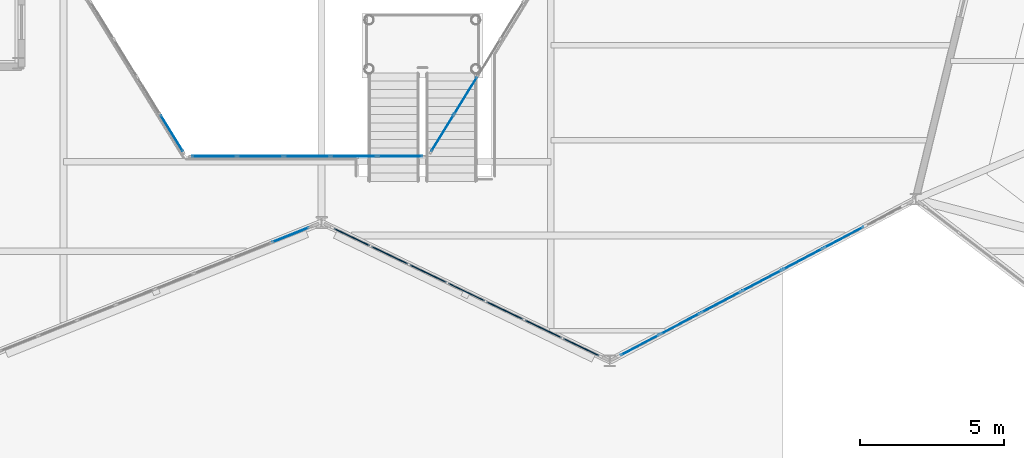
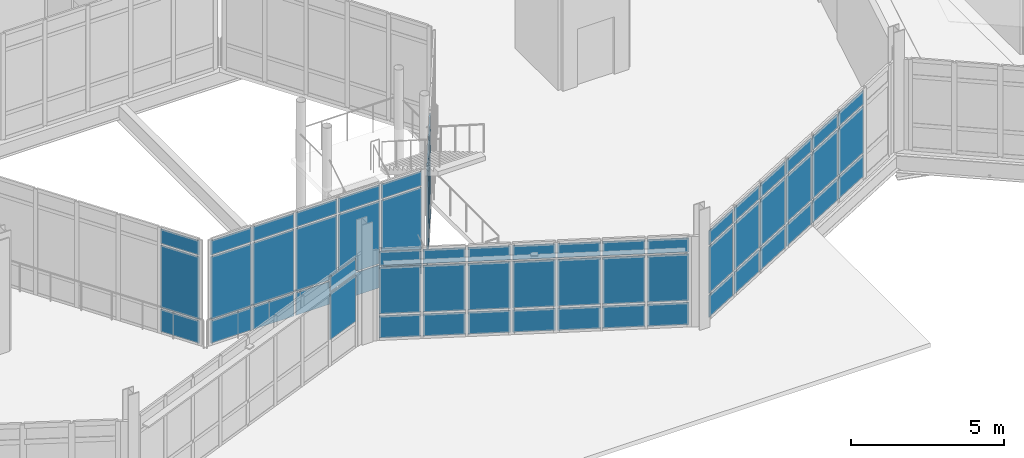
# One storey, part 86 of 134: 65 plates, 6 elements without a shape of their own.
"""IFC4 building model written with IfcOpenShell, lengths in metres."""

from ifc_helpers import new_model, si_unit, direction, frame, origin, origin_2d, place, context, subcontext, project, spatial, rectangle, extrude, material, layer, layer_set, type_object, element, aggregate, save


model = new_model("IFC4")

# Units and contexts
model_context = context("Model", 3, precision=1e-05, world=origin(), true_north=direction((0.0, 1.0)))
body_context = subcontext(model_context, "Body", "Model", "MODEL_VIEW")
ifc_project = project(units=[si_unit("LENGTHUNIT", "METRE"), si_unit("AREAUNIT", "SQUARE_METRE"), si_unit("VOLUMEUNIT", "CUBIC_METRE"), si_unit("PLANEANGLEUNIT", "RADIAN"), si_unit("MASSUNIT", "GRAM", prefix="KILO")], contexts=[model_context])

# Site, building, storey
site_placement = place(None, origin())
site = spatial("IfcSite", under=ifc_project, at=site_placement, CompositionType="ELEMENT")
building_placement = place(site_placement, origin())
building = spatial("IfcBuilding", under=site, at=building_placement, Name="Tameran Prism Museum", CompositionType="ELEMENT")
storey_placement = place(building_placement, frame((0.0, 0.0, 5.39990234375)))
storey = spatial("IfcBuildingStorey", under=building, at=storey_placement, Name="L01", CompositionType="ELEMENT", Elevation=5.39990234375)

# Curtain wall, plates
ifc_material_1 = material(Name="Anodised Aluminium 6063-T6 and Cyclone Solar Glass", Category="aluminium")
curtain_wall_type_1 = type_object("IfcCurtainWallType", Name="CW-ATR-769x424", PredefinedType="USERDEFINED", material=ifc_material_1)
curtain_wall_1_placement = place(storey_placement, origin())
curtain_wall_1 = element("IfcCurtainWall", 1, at=curtain_wall_1_placement, inside=storey, type_object=curtain_wall_type_1, Name="Unitised Curtain Wall CW-001", ObjectType="UNITISED CURTAIN WALL", PredefinedType="USERDEFINED")
ifc_material_2 = material(Name="Low-E Laminated Solar Glass", Category="glass")
ifc_layer_1 = layer(ifc_material_2, 0.028076171875)
ifc_layer_set_1 = layer_set([ifc_layer_1])
plate_type_1 = type_object("IfcPlateType", Name="CW-PNL-G28", PredefinedType="CURTAIN_PANEL", material=ifc_layer_set_1)
plate_1_placement = place(storey_placement, frame((72.308349609375, 30.496337890625, 0.06494140625), z_axis=(0.0, 0.0, 1.0), x_axis=(0.525503952357, -0.850791158897, 0.0)))
plate_1 = element("IfcPlate", 2, at=plate_1_placement, type_object=plate_type_1, Name="CW-001 panel 5.1", PredefinedType="CURTAIN_PANEL", context=body_context, shape_type="SweptSolid", body=[
    extrude(rectangle(XDim=1.44091796875, YDim=0.028076171875, at=origin_2d()), origin(), (0.0, 0.0, 1.0), 0.902587890625),
])
plate_2_placement = place(storey_placement, frame((72.308349609375, 30.496337890625, 1.032470703125), z_axis=(0.0, 0.0, 1.0), x_axis=(0.525503952357, -0.850791158897, 0.0)))
plate_2 = element("IfcPlate", 3, at=plate_2_placement, type_object=plate_type_1, Name="CW-001 panel 5.2", PredefinedType="CURTAIN_PANEL", context=body_context, shape_type="SweptSolid", body=[
    extrude(rectangle(XDim=1.44091796875, YDim=0.028076171875, at=origin_2d()), origin(), (0.0, 0.0, 1.0), 2.4951171875),
])
plate_3_placement = place(storey_placement, frame((72.308349609375, 30.496337890625, 3.592529296875), z_axis=(0.0, 0.0, 1.0), x_axis=(0.525503952357, -0.850791158897, 0.0)))
plate_3 = element("IfcPlate", 4, at=plate_3_placement, type_object=plate_type_1, Name="CW-001 panel 5.3", PredefinedType="CURTAIN_PANEL", context=body_context, shape_type="SweptSolid", body=[
    extrude(rectangle(XDim=1.44091796875, YDim=0.028076171875, at=origin_2d()), origin(), (0.0, 0.0, 1.0), 0.58251953125),
])
aggregate(curtain_wall_1, [plate_1, plate_2, plate_3])

ifc_material_3 = material(Name="Anodised Aluminium 6063-T6 and Cyclone Solar Glass", Category="aluminium")
curtain_wall_type_2 = type_object("IfcCurtainWallType", Name="CW-ATR-810x424", PredefinedType="USERDEFINED", material=ifc_material_3)
curtain_wall_2_placement = place(storey_placement, origin())
curtain_wall_2 = element("IfcCurtainWall", 5, at=curtain_wall_2_placement, inside=storey, type_object=curtain_wall_type_2, Name="Unitised Curtain Wall CW-002", ObjectType="UNITISED CURTAIN WALL", PredefinedType="USERDEFINED")
plate_4_placement = place(storey_placement, frame((73.7763671875, 29.699951171875, 0.06494140625), z_axis=(0.0, 0.0, 1.0), x_axis=(1.0, 0.0, 0.0)))
plate_4 = element("IfcPlate", 6, at=plate_4_placement, type_object=plate_type_1, Name="CW-002 panel 1.1", PredefinedType="CURTAIN_PANEL", context=body_context, shape_type="SweptSolid", body=[
    extrude(rectangle(XDim=1.5224609375, YDim=0.028076171875, at=origin_2d()), origin(), (0.0, 0.0, 1.0), 0.902587890625),
])
plate_5_placement = place(storey_placement, frame((73.7763671875, 29.699951171875, 1.032470703125), z_axis=(0.0, 0.0, 1.0), x_axis=(1.0, 0.0, 0.0)))
plate_5 = element("IfcPlate", 7, at=plate_5_placement, type_object=plate_type_1, Name="CW-002 panel 1.2", PredefinedType="CURTAIN_PANEL", context=body_context, shape_type="SweptSolid", body=[
    extrude(rectangle(XDim=1.5224609375, YDim=0.028076171875, at=origin_2d()), origin(), (0.0, 0.0, 1.0), 2.4951171875),
])
plate_6_placement = place(storey_placement, frame((73.7763671875, 29.699951171875, 3.592529296875), z_axis=(0.0, 0.0, 1.0), x_axis=(1.0, 0.0, 0.0)))
plate_6 = element("IfcPlate", 8, at=plate_6_placement, type_object=plate_type_1, Name="CW-002 panel 1.3", PredefinedType="CURTAIN_PANEL", context=body_context, shape_type="SweptSolid", body=[
    extrude(rectangle(XDim=1.5224609375, YDim=0.028076171875, at=origin_2d()), origin(), (0.0, 0.0, 1.0), 0.58251953125),
])
plate_7_placement = place(storey_placement, frame((75.3798828125, 29.699951171875, 0.06494140625), z_axis=(0.0, 0.0, 1.0), x_axis=(1.0, 0.0, 0.0)))
plate_7 = element("IfcPlate", 9, at=plate_7_placement, type_object=plate_type_1, Name="CW-002 panel 2.1", PredefinedType="CURTAIN_PANEL", context=body_context, shape_type="SweptSolid", body=[
    extrude(rectangle(XDim=1.554931640625, YDim=0.028076171875, at=origin_2d()), origin(), (0.0, 0.0, 1.0), 0.902587890625),
])
plate_8_placement = place(storey_placement, frame((75.3798828125, 29.699951171875, 1.032470703125), z_axis=(0.0, 0.0, 1.0), x_axis=(1.0, 0.0, 0.0)))
plate_8 = element("IfcPlate", 10, at=plate_8_placement, type_object=plate_type_1, Name="CW-002 panel 2.2", PredefinedType="CURTAIN_PANEL", context=body_context, shape_type="SweptSolid", body=[
    extrude(rectangle(XDim=1.554931640625, YDim=0.028076171875, at=origin_2d()), origin(), (0.0, 0.0, 1.0), 2.4951171875),
])
plate_9_placement = place(storey_placement, frame((75.3798828125, 29.699951171875, 3.592529296875), z_axis=(0.0, 0.0, 1.0), x_axis=(1.0, 0.0, 0.0)))
plate_9 = element("IfcPlate", 11, at=plate_9_placement, type_object=plate_type_1, Name="CW-002 panel 2.3", PredefinedType="CURTAIN_PANEL", context=body_context, shape_type="SweptSolid", body=[
    extrude(rectangle(XDim=1.554931640625, YDim=0.028076171875, at=origin_2d()), origin(), (0.0, 0.0, 1.0), 0.58251953125),
])
plate_10_placement = place(storey_placement, frame((77.0, 29.699951171875, 0.06494140625), z_axis=(0.0, 0.0, 1.0), x_axis=(1.0, 0.0, 0.0)))
plate_10 = element("IfcPlate", 12, at=plate_10_placement, type_object=plate_type_1, Name="CW-002 panel 3.1", PredefinedType="CURTAIN_PANEL", context=body_context, shape_type="SweptSolid", body=[
    extrude(rectangle(XDim=1.554931640625, YDim=0.028076171875, at=origin_2d()), origin(), (0.0, 0.0, 1.0), 0.902587890625),
])
plate_11_placement = place(storey_placement, frame((77.0, 29.699951171875, 1.032470703125), z_axis=(0.0, 0.0, 1.0), x_axis=(1.0, 0.0, 0.0)))
plate_11 = element("IfcPlate", 13, at=plate_11_placement, type_object=plate_type_1, Name="CW-002 panel 3.2", PredefinedType="CURTAIN_PANEL", context=body_context, shape_type="SweptSolid", body=[
    extrude(rectangle(XDim=1.554931640625, YDim=0.028076171875, at=origin_2d()), origin(), (0.0, 0.0, 1.0), 2.4951171875),
])
plate_12_placement = place(storey_placement, frame((77.0, 29.699951171875, 3.592529296875), z_axis=(0.0, 0.0, 1.0), x_axis=(1.0, 0.0, 0.0)))
plate_12 = element("IfcPlate", 14, at=plate_12_placement, type_object=plate_type_1, Name="CW-002 panel 3.3", PredefinedType="CURTAIN_PANEL", context=body_context, shape_type="SweptSolid", body=[
    extrude(rectangle(XDim=1.554931640625, YDim=0.028076171875, at=origin_2d()), origin(), (0.0, 0.0, 1.0), 0.58251953125),
])
plate_13_placement = place(storey_placement, frame((78.6201171875, 29.699951171875, 0.06494140625), z_axis=(0.0, 0.0, 1.0), x_axis=(1.0, 0.0, 0.0)))
plate_13 = element("IfcPlate", 15, at=plate_13_placement, type_object=plate_type_1, Name="CW-002 panel 4.1", PredefinedType="CURTAIN_PANEL", context=body_context, shape_type="SweptSolid", body=[
    extrude(rectangle(XDim=1.554931640625, YDim=0.028076171875, at=origin_2d()), origin(), (0.0, 0.0, 1.0), 0.902587890625),
])
plate_14_placement = place(storey_placement, frame((78.6201171875, 29.699951171875, 1.032470703125), z_axis=(0.0, 0.0, 1.0), x_axis=(1.0, 0.0, 0.0)))
plate_14 = element("IfcPlate", 16, at=plate_14_placement, type_object=plate_type_1, Name="CW-002 panel 4.2", PredefinedType="CURTAIN_PANEL", context=body_context, shape_type="SweptSolid", body=[
    extrude(rectangle(XDim=1.554931640625, YDim=0.028076171875, at=origin_2d()), origin(), (0.0, 0.0, 1.0), 2.4951171875),
])
plate_15_placement = place(storey_placement, frame((78.6201171875, 29.699951171875, 3.592529296875), z_axis=(0.0, 0.0, 1.0), x_axis=(1.0, 0.0, 0.0)))
plate_15 = element("IfcPlate", 17, at=plate_15_placement, type_object=plate_type_1, Name="CW-002 panel 4.3", PredefinedType="CURTAIN_PANEL", context=body_context, shape_type="SweptSolid", body=[
    extrude(rectangle(XDim=1.554931640625, YDim=0.028076171875, at=origin_2d()), origin(), (0.0, 0.0, 1.0), 0.58251953125),
])
plate_16_placement = place(storey_placement, frame((80.2236328125, 29.699951171875, 0.06494140625), z_axis=(0.0, 0.0, 1.0), x_axis=(1.0, 0.0, 0.0)))
plate_16 = element("IfcPlate", 18, at=plate_16_placement, type_object=plate_type_1, Name="CW-002 panel 5.1", PredefinedType="CURTAIN_PANEL", context=body_context, shape_type="SweptSolid", body=[
    extrude(rectangle(XDim=1.5224609375, YDim=0.028076171875, at=origin_2d()), origin(), (0.0, 0.0, 1.0), 0.902587890625),
])
plate_17_placement = place(storey_placement, frame((80.2236328125, 29.699951171875, 1.032470703125), z_axis=(0.0, 0.0, 1.0), x_axis=(1.0, 0.0, 0.0)))
plate_17 = element("IfcPlate", 19, at=plate_17_placement, type_object=plate_type_1, Name="CW-002 panel 5.2", PredefinedType="CURTAIN_PANEL", context=body_context, shape_type="SweptSolid", body=[
    extrude(rectangle(XDim=1.5224609375, YDim=0.028076171875, at=origin_2d()), origin(), (0.0, 0.0, 1.0), 2.4951171875),
])
plate_18_placement = place(storey_placement, frame((80.2236328125, 29.699951171875, 3.592529296875), z_axis=(0.0, 0.0, 1.0), x_axis=(1.0, 0.0, 0.0)))
plate_18 = element("IfcPlate", 20, at=plate_18_placement, type_object=plate_type_1, Name="CW-002 panel 5.3", PredefinedType="CURTAIN_PANEL", context=body_context, shape_type="SweptSolid", body=[
    extrude(rectangle(XDim=1.5224609375, YDim=0.028076171875, at=origin_2d()), origin(), (0.0, 0.0, 1.0), 0.58251953125),
])
aggregate(curtain_wall_2, [plate_4, plate_5, plate_6, plate_7, plate_8, plate_9, plate_10, plate_11, plate_12, plate_13, plate_14, plate_15, plate_16, plate_17, plate_18])

curtain_wall_3_placement = place(storey_placement, origin())
curtain_wall_3 = element("IfcCurtainWall", 21, at=curtain_wall_3_placement, inside=storey, type_object=curtain_wall_type_1, Name="Unitised Curtain Wall CW-003", ObjectType="UNITISED CURTAIN WALL", PredefinedType="USERDEFINED")
plate_19_placement = place(storey_placement, frame((81.691650390625, 30.496337890625, 0.06494140625), z_axis=(0.0, 0.0, 1.0), x_axis=(0.525503952357, 0.850791158897, 0.0)))
plate_19 = element("IfcPlate", 22, at=plate_19_placement, type_object=plate_type_1, Name="CW-003 panel 1.1", PredefinedType="CURTAIN_PANEL", context=body_context, shape_type="SweptSolid", body=[
    extrude(rectangle(XDim=1.44091796875, YDim=0.028076171875, at=origin_2d()), origin(), (0.0, 0.0, 1.0), 0.902587890625),
])
plate_20_placement = place(storey_placement, frame((81.691650390625, 30.496337890625, 1.032470703125), z_axis=(0.0, 0.0, 1.0), x_axis=(0.525503952357, 0.850791158897, 0.0)))
plate_20 = element("IfcPlate", 23, at=plate_20_placement, type_object=plate_type_1, Name="CW-003 panel 1.2", PredefinedType="CURTAIN_PANEL", context=body_context, shape_type="SweptSolid", body=[
    extrude(rectangle(XDim=1.44091796875, YDim=0.028076171875, at=origin_2d()), origin(), (0.0, 0.0, 1.0), 2.4951171875),
])
plate_21_placement = place(storey_placement, frame((81.691650390625, 30.496337890625, 3.592529296875), z_axis=(0.0, 0.0, 1.0), x_axis=(0.525503952357, 0.850791158897, 0.0)))
plate_21 = element("IfcPlate", 24, at=plate_21_placement, type_object=plate_type_1, Name="CW-003 panel 1.3", PredefinedType="CURTAIN_PANEL", context=body_context, shape_type="SweptSolid", body=[
    extrude(rectangle(XDim=1.44091796875, YDim=0.028076171875, at=origin_2d()), origin(), (0.0, 0.0, 1.0), 0.58251953125),
])
plate_22_placement = place(storey_placement, frame((82.49169921875, 31.791259765625, 0.06494140625), z_axis=(0.0, 0.0, 1.0), x_axis=(0.525503952357, 0.850791158897, 0.0)))
plate_22 = element("IfcPlate", 25, at=plate_22_placement, type_object=plate_type_1, Name="CW-003 panel 2.1", PredefinedType="CURTAIN_PANEL", context=body_context, shape_type="SweptSolid", body=[
    extrude(rectangle(XDim=1.473388671875, YDim=0.028076171875, at=origin_2d()), origin(), (0.0, 0.0, 1.0), 0.902587890625),
])
plate_23_placement = place(storey_placement, frame((82.49169921875, 31.791259765625, 1.032470703125), z_axis=(0.0, 0.0, 1.0), x_axis=(0.525503952357, 0.850791158897, 0.0)))
plate_23 = element("IfcPlate", 26, at=plate_23_placement, type_object=plate_type_1, Name="CW-003 panel 2.2", PredefinedType="CURTAIN_PANEL", context=body_context, shape_type="SweptSolid", body=[
    extrude(rectangle(XDim=1.473388671875, YDim=0.028076171875, at=origin_2d()), origin(), (0.0, 0.0, 1.0), 2.4951171875),
])
plate_24_placement = place(storey_placement, frame((82.49169921875, 31.791259765625, 3.592529296875), z_axis=(0.0, 0.0, 1.0), x_axis=(0.525503952357, 0.850791158897, 0.0)))
plate_24 = element("IfcPlate", 27, at=plate_24_placement, type_object=plate_type_1, Name="CW-003 panel 2.3", PredefinedType="CURTAIN_PANEL", context=body_context, shape_type="SweptSolid", body=[
    extrude(rectangle(XDim=1.473388671875, YDim=0.028076171875, at=origin_2d()), origin(), (0.0, 0.0, 1.0), 0.58251953125),
])
aggregate(curtain_wall_3, [plate_19, plate_20, plate_21, plate_22, plate_23, plate_24])

ifc_material_4 = material(Name="Anodised Aluminium 6063-T6 and Cyclone Solar Glass", Category="aluminium")
curtain_wall_type_3 = type_object("IfcCurtainWallType", Name="CW-FAC-1163x362", PredefinedType="USERDEFINED", material=ifc_material_4)
curtain_wall_4_placement = place(storey_placement, origin())
curtain_wall_4 = element("IfcCurtainWall", 28, at=curtain_wall_4_placement, inside=storey, type_object=curtain_wall_type_3, Name="Unitised Curtain Wall CW-063", ObjectType="UNITISED CURTAIN WALL", PredefinedType="USERDEFINED")
plate_25_placement = place(storey_placement, frame((76.42919921875, 26.97216796875, 1.03271484375), z_axis=(0.0, 0.0, 1.0), x_axis=(-0.928464826032, -0.371420337114, 0.0)))
plate_25 = element("IfcPlate", 29, at=plate_25_placement, type_object=plate_type_1, Name="CW-063 panel 1.2", PredefinedType="CURTAIN_PANEL", context=body_context, shape_type="SweptSolid", body=[
    extrude(rectangle(XDim=1.355712890625, YDim=0.028076171875, at=origin_2d()), origin(), (0.0, 0.0, 1.0), 1.875),
])
plate_26_placement = place(storey_placement, frame((76.42919921875, 26.97216796875, 2.97265625), z_axis=(0.0, 0.0, 1.0), x_axis=(-0.928464826032, -0.371420337114, 0.0)))
plate_26 = element("IfcPlate", 30, at=plate_26_placement, type_object=plate_type_1, Name="CW-063 panel 1.3", PredefinedType="CURTAIN_PANEL", context=body_context, shape_type="SweptSolid", body=[
    extrude(rectangle(XDim=1.355712890625, YDim=0.028076171875, at=origin_2d()), origin(), (0.0, 0.0, 1.0), 0.58251953125),
])
aggregate(curtain_wall_4, [plate_25, plate_26])

ifc_material_5 = material(Name="Anodised Aluminium 6063-T6 and Cyclone Solar Glass", Category="aluminium")
curtain_wall_type_4 = type_object("IfcCurtainWallType", Name="CW-FAC-1123x362", PredefinedType="USERDEFINED", material=ifc_material_5)
curtain_wall_5_placement = place(storey_placement, origin())
curtain_wall_5 = element("IfcCurtainWall", 31, at=curtain_wall_5_placement, inside=storey, type_object=curtain_wall_type_4, Name="Unitised Curtain Wall CW-066", ObjectType="UNITISED CURTAIN WALL", PredefinedType="USERDEFINED")
plate_27_placement = place(storey_placement, frame((95.6103515625, 26.884765625, 0.080078125), z_axis=(0.0, 0.0, 1.0), x_axis=(-0.884175340483, -0.467155185438, 0.0)))
plate_27 = element("IfcPlate", 32, at=plate_27_placement, type_object=plate_type_1, Name="CW-066 panel 2.1", PredefinedType="CURTAIN_PANEL", context=body_context, shape_type="SweptSolid", body=[
    extrude(rectangle(XDim=1.524169921875, YDim=0.028076171875, at=origin_2d()), origin(), (0.0, 0.0, 1.0), 0.8798828125),
])
plate_28_placement = place(storey_placement, frame((95.6103515625, 26.884765625, 1.0400390625), z_axis=(0.0, 0.0, 1.0), x_axis=(-0.884175340483, -0.467155185438, 0.0)))
plate_28 = element("IfcPlate", 33, at=plate_28_placement, type_object=plate_type_1, Name="CW-066 panel 2.2", PredefinedType="CURTAIN_PANEL", context=body_context, shape_type="SweptSolid", body=[
    extrude(rectangle(XDim=1.524169921875, YDim=0.028076171875, at=origin_2d()), origin(), (0.0, 0.0, 1.0), 1.860107421875),
])
plate_29_placement = place(storey_placement, frame((95.6103515625, 26.884765625, 2.97998046875), z_axis=(0.0, 0.0, 1.0), x_axis=(-0.884175340483, -0.467155185438, 0.0)))
plate_29 = element("IfcPlate", 34, at=plate_29_placement, type_object=plate_type_1, Name="CW-066 panel 2.3", PredefinedType="CURTAIN_PANEL", context=body_context, shape_type="SweptSolid", body=[
    extrude(rectangle(XDim=1.524169921875, YDim=0.028076171875, at=origin_2d()), origin(), (0.0, 0.0, 1.0), 0.56005859375),
])
plate_30_placement = place(storey_placement, frame((94.19189453125, 26.135498046875, 0.080078125), z_axis=(0.0, 0.0, 1.0), x_axis=(-0.884175340483, -0.467155185438, 0.0)))
plate_30 = element("IfcPlate", 35, at=plate_30_placement, type_object=plate_type_1, Name="CW-066 panel 3.1", PredefinedType="CURTAIN_PANEL", context=body_context, shape_type="SweptSolid", body=[
    extrude(rectangle(XDim=1.524169921875, YDim=0.028076171875, at=origin_2d()), origin(), (0.0, 0.0, 1.0), 0.8798828125),
])
plate_31_placement = place(storey_placement, frame((94.19189453125, 26.135498046875, 1.0400390625), z_axis=(0.0, 0.0, 1.0), x_axis=(-0.884175340483, -0.467155185438, 0.0)))
plate_31 = element("IfcPlate", 36, at=plate_31_placement, type_object=plate_type_1, Name="CW-066 panel 3.2", PredefinedType="CURTAIN_PANEL", context=body_context, shape_type="SweptSolid", body=[
    extrude(rectangle(XDim=1.524169921875, YDim=0.028076171875, at=origin_2d()), origin(), (0.0, 0.0, 1.0), 1.860107421875),
])
plate_32_placement = place(storey_placement, frame((94.19189453125, 26.135498046875, 2.97998046875), z_axis=(0.0, 0.0, 1.0), x_axis=(-0.884175340483, -0.467155185438, 0.0)))
plate_32 = element("IfcPlate", 37, at=plate_32_placement, type_object=plate_type_1, Name="CW-066 panel 3.3", PredefinedType="CURTAIN_PANEL", context=body_context, shape_type="SweptSolid", body=[
    extrude(rectangle(XDim=1.524169921875, YDim=0.028076171875, at=origin_2d()), origin(), (0.0, 0.0, 1.0), 0.56005859375),
])
plate_33_placement = place(storey_placement, frame((92.7734375, 25.385986328125, 0.080078125), z_axis=(0.0, 0.0, 1.0), x_axis=(-0.884175340483, -0.467155185438, 0.0)))
plate_33 = element("IfcPlate", 38, at=plate_33_placement, type_object=plate_type_1, Name="CW-066 panel 4.1", PredefinedType="CURTAIN_PANEL", context=body_context, shape_type="SweptSolid", body=[
    extrude(rectangle(XDim=1.524169921875, YDim=0.028076171875, at=origin_2d()), origin(), (0.0, 0.0, 1.0), 0.8798828125),
])
plate_34_placement = place(storey_placement, frame((92.7734375, 25.385986328125, 1.0400390625), z_axis=(0.0, 0.0, 1.0), x_axis=(-0.884175340483, -0.467155185438, 0.0)))
plate_34 = element("IfcPlate", 39, at=plate_34_placement, type_object=plate_type_1, Name="CW-066 panel 4.2", PredefinedType="CURTAIN_PANEL", context=body_context, shape_type="SweptSolid", body=[
    extrude(rectangle(XDim=1.524169921875, YDim=0.028076171875, at=origin_2d()), origin(), (0.0, 0.0, 1.0), 1.860107421875),
])
plate_35_placement = place(storey_placement, frame((92.7734375, 25.385986328125, 2.97998046875), z_axis=(0.0, 0.0, 1.0), x_axis=(-0.884175340483, -0.467155185438, 0.0)))
plate_35 = element("IfcPlate", 40, at=plate_35_placement, type_object=plate_type_1, Name="CW-066 panel 4.3", PredefinedType="CURTAIN_PANEL", context=body_context, shape_type="SweptSolid", body=[
    extrude(rectangle(XDim=1.524169921875, YDim=0.028076171875, at=origin_2d()), origin(), (0.0, 0.0, 1.0), 0.56005859375),
])
plate_36_placement = place(storey_placement, frame((91.35498046875, 24.636474609375, 0.080078125), z_axis=(0.0, 0.0, 1.0), x_axis=(-0.884175340483, -0.467155185438, 0.0)))
plate_36 = element("IfcPlate", 41, at=plate_36_placement, type_object=plate_type_1, Name="CW-066 panel 5.1", PredefinedType="CURTAIN_PANEL", context=body_context, shape_type="SweptSolid", body=[
    extrude(rectangle(XDim=1.524169921875, YDim=0.028076171875, at=origin_2d()), origin(), (0.0, 0.0, 1.0), 0.8798828125),
])
plate_37_placement = place(storey_placement, frame((91.35498046875, 24.636474609375, 1.0400390625), z_axis=(0.0, 0.0, 1.0), x_axis=(-0.884175340483, -0.467155185438, 0.0)))
plate_37 = element("IfcPlate", 42, at=plate_37_placement, type_object=plate_type_1, Name="CW-066 panel 5.2", PredefinedType="CURTAIN_PANEL", context=body_context, shape_type="SweptSolid", body=[
    extrude(rectangle(XDim=1.524169921875, YDim=0.028076171875, at=origin_2d()), origin(), (0.0, 0.0, 1.0), 1.860107421875),
])
plate_38_placement = place(storey_placement, frame((91.35498046875, 24.636474609375, 2.97998046875), z_axis=(0.0, 0.0, 1.0), x_axis=(-0.884175340483, -0.467155185438, 0.0)))
plate_38 = element("IfcPlate", 43, at=plate_38_placement, type_object=plate_type_1, Name="CW-066 panel 5.3", PredefinedType="CURTAIN_PANEL", context=body_context, shape_type="SweptSolid", body=[
    extrude(rectangle(XDim=1.524169921875, YDim=0.028076171875, at=origin_2d()), origin(), (0.0, 0.0, 1.0), 0.56005859375),
])
plate_39_placement = place(storey_placement, frame((89.9365234375, 23.88720703125, 0.080078125), z_axis=(0.0, 0.0, 1.0), x_axis=(-0.884175340483, -0.467155185438, 0.0)))
plate_39 = element("IfcPlate", 44, at=plate_39_placement, type_object=plate_type_1, Name="CW-066 panel 6.1", PredefinedType="CURTAIN_PANEL", context=body_context, shape_type="SweptSolid", body=[
    extrude(rectangle(XDim=1.524169921875, YDim=0.028076171875, at=origin_2d()), origin(), (0.0, 0.0, 1.0), 0.8798828125),
])
plate_40_placement = place(storey_placement, frame((89.9365234375, 23.88720703125, 1.0400390625), z_axis=(0.0, 0.0, 1.0), x_axis=(-0.884175340483, -0.467155185438, 0.0)))
plate_40 = element("IfcPlate", 45, at=plate_40_placement, type_object=plate_type_1, Name="CW-066 panel 6.2", PredefinedType="CURTAIN_PANEL", context=body_context, shape_type="SweptSolid", body=[
    extrude(rectangle(XDim=1.524169921875, YDim=0.028076171875, at=origin_2d()), origin(), (0.0, 0.0, 1.0), 1.860107421875),
])
plate_41_placement = place(storey_placement, frame((89.9365234375, 23.88720703125, 2.97998046875), z_axis=(0.0, 0.0, 1.0), x_axis=(-0.884175340483, -0.467155185438, 0.0)))
plate_41 = element("IfcPlate", 46, at=plate_41_placement, type_object=plate_type_1, Name="CW-066 panel 6.3", PredefinedType="CURTAIN_PANEL", context=body_context, shape_type="SweptSolid", body=[
    extrude(rectangle(XDim=1.524169921875, YDim=0.028076171875, at=origin_2d()), origin(), (0.0, 0.0, 1.0), 0.56005859375),
])
plate_42_placement = place(storey_placement, frame((88.535888671875, 23.14697265625, 0.080078125), z_axis=(0.0, 0.0, 1.0), x_axis=(-0.884175340483, -0.467155185438, 0.0)))
plate_42 = element("IfcPlate", 47, at=plate_42_placement, type_object=plate_type_1, Name="CW-066 panel 7.1", PredefinedType="CURTAIN_PANEL", context=body_context, shape_type="SweptSolid", body=[
    extrude(rectangle(XDim=1.484130859375, YDim=0.028076171875, at=origin_2d()), origin(), (0.0, 0.0, 1.0), 0.8798828125),
])
plate_43_placement = place(storey_placement, frame((88.535888671875, 23.14697265625, 1.0400390625), z_axis=(0.0, 0.0, 1.0), x_axis=(-0.884175340483, -0.467155185438, 0.0)))
plate_43 = element("IfcPlate", 48, at=plate_43_placement, type_object=plate_type_1, Name="CW-066 panel 7.2", PredefinedType="CURTAIN_PANEL", context=body_context, shape_type="SweptSolid", body=[
    extrude(rectangle(XDim=1.484130859375, YDim=0.028076171875, at=origin_2d()), origin(), (0.0, 0.0, 1.0), 1.860107421875),
])
plate_44_placement = place(storey_placement, frame((88.535888671875, 23.14697265625, 2.97998046875), z_axis=(0.0, 0.0, 1.0), x_axis=(-0.884175340483, -0.467155185438, 0.0)))
plate_44 = element("IfcPlate", 49, at=plate_44_placement, type_object=plate_type_1, Name="CW-066 panel 7.3", PredefinedType="CURTAIN_PANEL", context=body_context, shape_type="SweptSolid", body=[
    extrude(rectangle(XDim=1.484130859375, YDim=0.028076171875, at=origin_2d()), origin(), (0.0, 0.0, 1.0), 0.56005859375),
])
aggregate(curtain_wall_5, [plate_27, plate_28, plate_29, plate_30, plate_31, plate_32, plate_33, plate_34, plate_35, plate_36, plate_37, plate_38, plate_39, plate_40, plate_41, plate_42, plate_43, plate_44])

ifc_material_6 = material(Name="Anodised Aluminium 6063-T6 and Cyclone Solar Glass", Category="aluminium")
curtain_wall_type_5 = type_object("IfcCurtainWallType", Name="CW-FAC-1033x362", PredefinedType="USERDEFINED", material=ifc_material_6)
curtain_wall_6_placement = place(storey_placement, origin())
curtain_wall_6 = element("IfcCurtainWall", 50, at=curtain_wall_6_placement, inside=storey, type_object=curtain_wall_type_5, Name="Unitised Curtain Wall CW-065", ObjectType="UNITISED CURTAIN WALL", PredefinedType="USERDEFINED")
ifc_material_7 = material(Name="Cyclone Laminated Solar Glass", Category="glass")
ifc_layer_2 = layer(ifc_material_7, 0.031982421875)
ifc_layer_set_2 = layer_set([ifc_layer_2])
plate_type_2 = type_object("IfcPlateType", Name="CW-PNL-G32", PredefinedType="CURTAIN_PANEL", material=ifc_layer_set_2)
plate_45_placement = place(storey_placement, frame((86.501708984375, 23.07861328125, 0.0751953125), z_axis=(0.0, 0.0, 1.0), x_axis=(-0.901474721245, 0.432831753637, 0.0)))
plate_45 = element("IfcPlate", 51, at=plate_45_placement, type_object=plate_type_2, Name="CW-065 panel 1.1", PredefinedType="CURTAIN_PANEL", context=body_context, shape_type="SweptSolid", body=[
    extrude(rectangle(XDim=1.363525390625, YDim=0.031982421875, at=origin_2d()), origin(), (0.0, 0.0, 1.0), 0.887451171875),
])
plate_46_placement = place(storey_placement, frame((86.501708984375, 23.07861328125, 1.03759765625), z_axis=(0.0, 0.0, 1.0), x_axis=(-0.901474721245, 0.432831753637, 0.0)))
plate_46 = element("IfcPlate", 52, at=plate_46_placement, type_object=plate_type_2, Name="CW-065 panel 1.2", PredefinedType="CURTAIN_PANEL", context=body_context, shape_type="SweptSolid", body=[
    extrude(rectangle(XDim=1.363525390625, YDim=0.031982421875, at=origin_2d()), origin(), (0.0, 0.0, 1.0), 1.864990234375),
])
plate_47_placement = place(storey_placement, frame((86.501708984375, 23.07861328125, 2.9775390625), z_axis=(0.0, 0.0, 1.0), x_axis=(-0.901474721245, 0.432831753637, 0.0)))
plate_47 = element("IfcPlate", 53, at=plate_47_placement, type_object=plate_type_2, Name="CW-065 panel 1.3", PredefinedType="CURTAIN_PANEL", context=body_context, shape_type="SweptSolid", body=[
    extrude(rectangle(XDim=1.363525390625, YDim=0.031982421875, at=origin_2d()), origin(), (0.0, 0.0, 1.0), 0.5673828125),
])
plate_48_placement = place(storey_placement, frame((85.188232421875, 23.709228515625, 0.0751953125), z_axis=(0.0, 0.0, 1.0), x_axis=(-0.901474721245, 0.432831753637, 0.0)))
plate_48 = element("IfcPlate", 54, at=plate_48_placement, type_object=plate_type_2, Name="CW-065 panel 2.1", PredefinedType="CURTAIN_PANEL", context=body_context, shape_type="SweptSolid", body=[
    extrude(rectangle(XDim=1.40087890625, YDim=0.031982421875, at=origin_2d()), origin(), (0.0, 0.0, 1.0), 0.887451171875),
])
plate_49_placement = place(storey_placement, frame((85.188232421875, 23.709228515625, 1.03759765625), z_axis=(0.0, 0.0, 1.0), x_axis=(-0.901474721245, 0.432831753637, 0.0)))
plate_49 = element("IfcPlate", 55, at=plate_49_placement, type_object=plate_type_2, Name="CW-065 panel 2.2", PredefinedType="CURTAIN_PANEL", context=body_context, shape_type="SweptSolid", body=[
    extrude(rectangle(XDim=1.40087890625, YDim=0.031982421875, at=origin_2d()), origin(), (0.0, 0.0, 1.0), 1.864990234375),
])
plate_50_placement = place(storey_placement, frame((85.188232421875, 23.709228515625, 2.9775390625), z_axis=(0.0, 0.0, 1.0), x_axis=(-0.901474721245, 0.432831753637, 0.0)))
plate_50 = element("IfcPlate", 56, at=plate_50_placement, type_object=plate_type_2, Name="CW-065 panel 2.3", PredefinedType="CURTAIN_PANEL", context=body_context, shape_type="SweptSolid", body=[
    extrude(rectangle(XDim=1.40087890625, YDim=0.031982421875, at=origin_2d()), origin(), (0.0, 0.0, 1.0), 0.5673828125),
])
plate_51_placement = place(storey_placement, frame((83.857666015625, 24.34814453125, 0.0751953125), z_axis=(0.0, 0.0, 1.0), x_axis=(-0.901474721245, 0.432831753637, 0.0)))
plate_51 = element("IfcPlate", 57, at=plate_51_placement, type_object=plate_type_2, Name="CW-065 panel 3.1", PredefinedType="CURTAIN_PANEL", context=body_context, shape_type="SweptSolid", body=[
    extrude(rectangle(XDim=1.40087890625, YDim=0.031982421875, at=origin_2d()), origin(), (0.0, 0.0, 1.0), 0.887451171875),
])
plate_52_placement = place(storey_placement, frame((83.857666015625, 24.34814453125, 1.03759765625), z_axis=(0.0, 0.0, 1.0), x_axis=(-0.901474721245, 0.432831753637, 0.0)))
plate_52 = element("IfcPlate", 58, at=plate_52_placement, type_object=plate_type_2, Name="CW-065 panel 3.2", PredefinedType="CURTAIN_PANEL", context=body_context, shape_type="SweptSolid", body=[
    extrude(rectangle(XDim=1.40087890625, YDim=0.031982421875, at=origin_2d()), origin(), (0.0, 0.0, 1.0), 1.864990234375),
])
plate_53_placement = place(storey_placement, frame((83.857666015625, 24.34814453125, 2.9775390625), z_axis=(0.0, 0.0, 1.0), x_axis=(-0.901474721245, 0.432831753637, 0.0)))
plate_53 = element("IfcPlate", 59, at=plate_53_placement, type_object=plate_type_2, Name="CW-065 panel 3.3", PredefinedType="CURTAIN_PANEL", context=body_context, shape_type="SweptSolid", body=[
    extrude(rectangle(XDim=1.40087890625, YDim=0.031982421875, at=origin_2d()), origin(), (0.0, 0.0, 1.0), 0.5673828125),
])
plate_54_placement = place(storey_placement, frame((82.527099609375, 24.987060546875, 0.0751953125), z_axis=(0.0, 0.0, 1.0), x_axis=(-0.901474721245, 0.432831753637, 0.0)))
plate_54 = element("IfcPlate", 60, at=plate_54_placement, type_object=plate_type_2, Name="CW-065 panel 4.1", PredefinedType="CURTAIN_PANEL", context=body_context, shape_type="SweptSolid", body=[
    extrude(rectangle(XDim=1.40087890625, YDim=0.031982421875, at=origin_2d()), origin(), (0.0, 0.0, 1.0), 0.887451171875),
])
plate_55_placement = place(storey_placement, frame((82.527099609375, 24.987060546875, 1.03759765625), z_axis=(0.0, 0.0, 1.0), x_axis=(-0.901474721245, 0.432831753637, 0.0)))
plate_55 = element("IfcPlate", 61, at=plate_55_placement, type_object=plate_type_2, Name="CW-065 panel 4.2", PredefinedType="CURTAIN_PANEL", context=body_context, shape_type="SweptSolid", body=[
    extrude(rectangle(XDim=1.40087890625, YDim=0.031982421875, at=origin_2d()), origin(), (0.0, 0.0, 1.0), 1.864990234375),
])
plate_56_placement = place(storey_placement, frame((82.527099609375, 24.987060546875, 2.9775390625), z_axis=(0.0, 0.0, 1.0), x_axis=(-0.901474721245, 0.432831753637, 0.0)))
plate_56 = element("IfcPlate", 62, at=plate_56_placement, type_object=plate_type_2, Name="CW-065 panel 4.3", PredefinedType="CURTAIN_PANEL", context=body_context, shape_type="SweptSolid", body=[
    extrude(rectangle(XDim=1.40087890625, YDim=0.031982421875, at=origin_2d()), origin(), (0.0, 0.0, 1.0), 0.5673828125),
])
plate_57_placement = place(storey_placement, frame((81.196533203125, 25.6259765625, 0.0751953125), z_axis=(0.0, 0.0, 1.0), x_axis=(-0.901474721245, 0.432831753637, 0.0)))
plate_57 = element("IfcPlate", 63, at=plate_57_placement, type_object=plate_type_2, Name="CW-065 panel 5.1", PredefinedType="CURTAIN_PANEL", context=body_context, shape_type="SweptSolid", body=[
    extrude(rectangle(XDim=1.40087890625, YDim=0.031982421875, at=origin_2d()), origin(), (0.0, 0.0, 1.0), 0.887451171875),
])
plate_58_placement = place(storey_placement, frame((81.196533203125, 25.6259765625, 1.03759765625), z_axis=(0.0, 0.0, 1.0), x_axis=(-0.901474721245, 0.432831753637, 0.0)))
plate_58 = element("IfcPlate", 64, at=plate_58_placement, type_object=plate_type_2, Name="CW-065 panel 5.2", PredefinedType="CURTAIN_PANEL", context=body_context, shape_type="SweptSolid", body=[
    extrude(rectangle(XDim=1.40087890625, YDim=0.031982421875, at=origin_2d()), origin(), (0.0, 0.0, 1.0), 1.864990234375),
])
plate_59_placement = place(storey_placement, frame((81.196533203125, 25.6259765625, 2.9775390625), z_axis=(0.0, 0.0, 1.0), x_axis=(-0.901474721245, 0.432831753637, 0.0)))
plate_59 = element("IfcPlate", 65, at=plate_59_placement, type_object=plate_type_2, Name="CW-065 panel 5.3", PredefinedType="CURTAIN_PANEL", context=body_context, shape_type="SweptSolid", body=[
    extrude(rectangle(XDim=1.40087890625, YDim=0.031982421875, at=origin_2d()), origin(), (0.0, 0.0, 1.0), 0.5673828125),
])
plate_60_placement = place(storey_placement, frame((79.865966796875, 26.2646484375, 0.0751953125), z_axis=(0.0, 0.0, 1.0), x_axis=(-0.901474721245, 0.432831753637, 0.0)))
plate_60 = element("IfcPlate", 66, at=plate_60_placement, type_object=plate_type_2, Name="CW-065 panel 6.1", PredefinedType="CURTAIN_PANEL", context=body_context, shape_type="SweptSolid", body=[
    extrude(rectangle(XDim=1.40087890625, YDim=0.031982421875, at=origin_2d()), origin(), (0.0, 0.0, 1.0), 0.887451171875),
])
plate_61_placement = place(storey_placement, frame((79.865966796875, 26.2646484375, 1.03759765625), z_axis=(0.0, 0.0, 1.0), x_axis=(-0.901474721245, 0.432831753637, 0.0)))
plate_61 = element("IfcPlate", 67, at=plate_61_placement, type_object=plate_type_2, Name="CW-065 panel 6.2", PredefinedType="CURTAIN_PANEL", context=body_context, shape_type="SweptSolid", body=[
    extrude(rectangle(XDim=1.40087890625, YDim=0.031982421875, at=origin_2d()), origin(), (0.0, 0.0, 1.0), 1.864990234375),
])
plate_62_placement = place(storey_placement, frame((79.865966796875, 26.2646484375, 2.9775390625), z_axis=(0.0, 0.0, 1.0), x_axis=(-0.901474721245, 0.432831753637, 0.0)))
plate_62 = element("IfcPlate", 68, at=plate_62_placement, type_object=plate_type_2, Name="CW-065 panel 6.3", PredefinedType="CURTAIN_PANEL", context=body_context, shape_type="SweptSolid", body=[
    extrude(rectangle(XDim=1.40087890625, YDim=0.031982421875, at=origin_2d()), origin(), (0.0, 0.0, 1.0), 0.5673828125),
])
plate_63_placement = place(storey_placement, frame((78.55224609375, 26.8955078125, 0.0751953125), z_axis=(0.0, 0.0, 1.0), x_axis=(-0.901474721245, 0.432831753637, 0.0)))
plate_63 = element("IfcPlate", 69, at=plate_63_placement, type_object=plate_type_2, Name="CW-065 panel 7.1", PredefinedType="CURTAIN_PANEL", context=body_context, shape_type="SweptSolid", body=[
    extrude(rectangle(XDim=1.363525390625, YDim=0.031982421875, at=origin_2d()), origin(), (0.0, 0.0, 1.0), 0.887451171875),
])
plate_64_placement = place(storey_placement, frame((78.55224609375, 26.8955078125, 1.03759765625), z_axis=(0.0, 0.0, 1.0), x_axis=(-0.901474721245, 0.432831753637, 0.0)))
plate_64 = element("IfcPlate", 70, at=plate_64_placement, type_object=plate_type_2, Name="CW-065 panel 7.2", PredefinedType="CURTAIN_PANEL", context=body_context, shape_type="SweptSolid", body=[
    extrude(rectangle(XDim=1.363525390625, YDim=0.031982421875, at=origin_2d()), origin(), (0.0, 0.0, 1.0), 1.864990234375),
])
plate_65_placement = place(storey_placement, frame((78.55224609375, 26.8955078125, 2.9775390625), z_axis=(0.0, 0.0, 1.0), x_axis=(-0.901474721245, 0.432831753637, 0.0)))
plate_65 = element("IfcPlate", 71, at=plate_65_placement, type_object=plate_type_2, Name="CW-065 panel 7.3", PredefinedType="CURTAIN_PANEL", context=body_context, shape_type="SweptSolid", body=[
    extrude(rectangle(XDim=1.363525390625, YDim=0.031982421875, at=origin_2d()), origin(), (0.0, 0.0, 1.0), 0.5673828125),
])
aggregate(curtain_wall_6, [plate_45, plate_46, plate_47, plate_48, plate_49, plate_50, plate_51, plate_52, plate_53, plate_54, plate_55, plate_56, plate_57, plate_58, plate_59, plate_60, plate_61, plate_62, plate_63, plate_64, plate_65])

save(model, "model.ifc")
